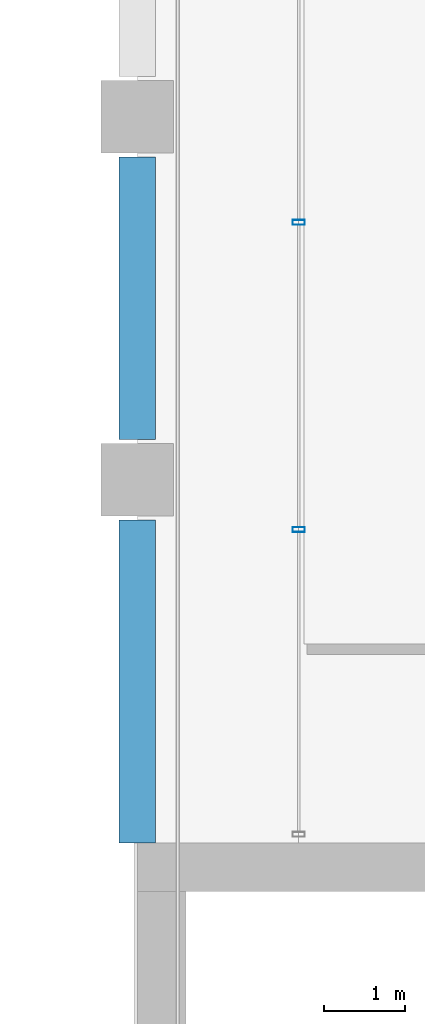
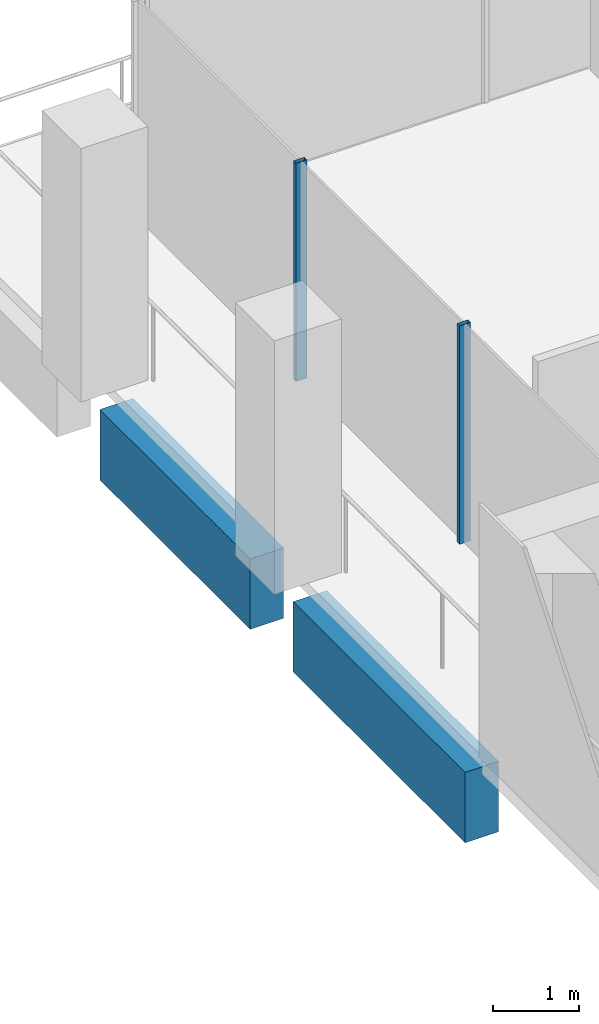
# One storey, part 20 of 44: 2 beams, 2 members, 1 element without a shape of its own.
"""IFC4 building model written with IfcOpenShell, lengths in metres."""

from ifc_helpers import new_model, si_unit, direction, frame, origin, origin_2d, place, context, subcontext, project, spatial, rectangle, hollow_rectangle, extrude, material, material_profile, profile_set, type_object, element, aggregate, save


model = new_model("IFC4")

# Units and contexts
model_context = context("Model", 3, precision=1e-05, world=origin(), true_north=direction((0.0, 1.0)))
body_context = subcontext(model_context, "Body", "Model", "MODEL_VIEW")
ifc_project = project(units=[si_unit("LENGTHUNIT", "METRE"), si_unit("AREAUNIT", "SQUARE_METRE"), si_unit("VOLUMEUNIT", "CUBIC_METRE"), si_unit("PLANEANGLEUNIT", "RADIAN"), si_unit("MASSUNIT", "GRAM", prefix="KILO")], contexts=[model_context])

# Site, building, storey
site_placement = place(None, origin())
site = spatial("IfcSite", under=ifc_project, at=site_placement, CompositionType="ELEMENT")
building_placement = place(site_placement, origin())
building = spatial("IfcBuilding", under=site, at=building_placement, Name="Altepetl Exchange Towers", CompositionType="ELEMENT")
storey_placement = place(building_placement, frame((0.0, 0.0, 143.800048828125)))
storey = spatial("IfcBuildingStorey", under=building, at=storey_placement, Name="L35", CompositionType="ELEMENT", Elevation=143.800048828125)

# Curtain wall, members
ifc_material_1 = material(Name="Aluminium 6063-T6 glazing", Category="aluminium")
curtain_wall_type = type_object("IfcCurtainWallType", Name="Loggia glazing system", PredefinedType="NOTDEFINED", material=ifc_material_1)
curtain_wall_placement = place(storey_placement, origin())
curtain_wall = element("IfcCurtainWall", 1, at=curtain_wall_placement, inside=storey, type_object=curtain_wall_type, Name="CW1 run", PredefinedType="NOTDEFINED")
ifc_material_2 = material(Name="Aluminium 6063-T6", Category="aluminium")
ifc_material_profile_1 = material_profile(ifc_material_2, hollow_rectangle(XDim=0.06005859375, YDim=0.14990234375, WallThickness=0.0029296875, at=origin_2d()), Name="Mullion 60x150 aluminium")
ifc_profile_set_1 = profile_set([ifc_material_profile_1], Name="Aluminium 6063-T6")
member_type = type_object("IfcMemberType", Name="Mullion 60x150 aluminium", PredefinedType="MULLION", material=ifc_profile_set_1)
member_1_placement = place(storey_placement, frame((42.5, 66.191650390625, 0.0), z_axis=(0.0, 0.0, 1.0), x_axis=(0.0, -1.0, 0.0)))
member_1 = element("IfcMember", 2, at=member_1_placement, type_object=member_type, Name="MU1 mullion", PredefinedType="MULLION", context=body_context, shape_type="SweptSolid", body=[
    extrude(hollow_rectangle(XDim=0.06005859375, YDim=0.14990234375, WallThickness=0.0029296875, at=origin_2d()), origin(), (0.0, 0.0, 1.0), 3.099853515625),
])
member_2_placement = place(storey_placement, frame((42.5, 62.38330078125, 0.0), z_axis=(0.0, 0.0, 1.0), x_axis=(0.0, -1.0, 0.0)))
member_2 = element("IfcMember", 3, at=member_2_placement, type_object=member_type, Name="MU1 mullion", PredefinedType="MULLION", context=body_context, shape_type="SweptSolid", body=[
    extrude(hollow_rectangle(XDim=0.06005859375, YDim=0.14990234375, WallThickness=0.0029296875, at=origin_2d()), origin(), (0.0, 0.0, 1.0), 3.099853515625),
])
aggregate(curtain_wall, [member_1, member_2])

# Beams
ifc_material_3 = material(Name="Concrete C50/60 precast with tezontle facing", Category="concrete")
ifc_material_profile_2 = material_profile(ifc_material_3, rectangle(XDim=0.449951171875, YDim=1.0, at=origin_2d()), Name="450 x 1000")
ifc_profile_set_2 = profile_set([ifc_material_profile_2], Name="Concrete C50/60 precast with tezontle facing")
beam_type = type_object("IfcBeamType", Name="Spandrel beam 450x1000 tezontle", PredefinedType="SPANDREL", material=ifc_profile_set_2)
beam_1_placement = place(storey_placement, frame((40.5, 67.0, -0.650146484375), z_axis=(0.0, -1.0, 0.0), x_axis=(1.0, 0.0, 0.0)))
element("IfcBeam", 4, at=beam_1_placement, inside=storey, type_object=beam_type, Name="sp:A:L35:031", PredefinedType="SPANDREL", context=body_context, shape_type="SweptSolid", body=[
    extrude(rectangle(XDim=0.449951171875, YDim=1.0, at=origin_2d()), origin(), (0.0, 0.0, 1.0), 3.5),
])
beam_2_placement = place(storey_placement, frame((40.5, 62.5, -0.650146484375), z_axis=(0.0, -1.0, 0.0), x_axis=(1.0, 0.0, 0.0)))
element("IfcBeam", 5, at=beam_2_placement, inside=storey, type_object=beam_type, Name="sp:A:L35:032", PredefinedType="SPANDREL", context=body_context, shape_type="SweptSolid", body=[
    extrude(rectangle(XDim=0.449951171875, YDim=1.0, at=origin_2d()), origin(), (0.0, 0.0, 1.0), 4.0),
])

save(model, "model.ifc")
